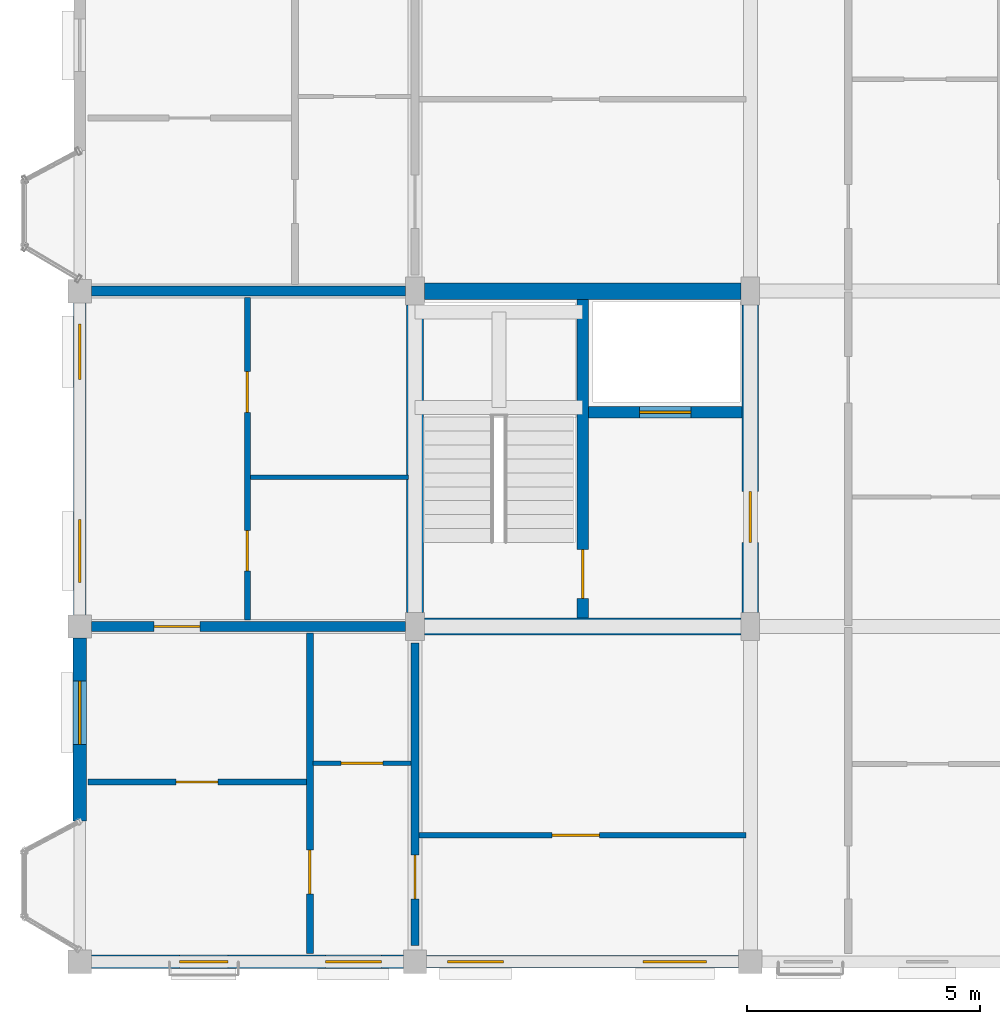
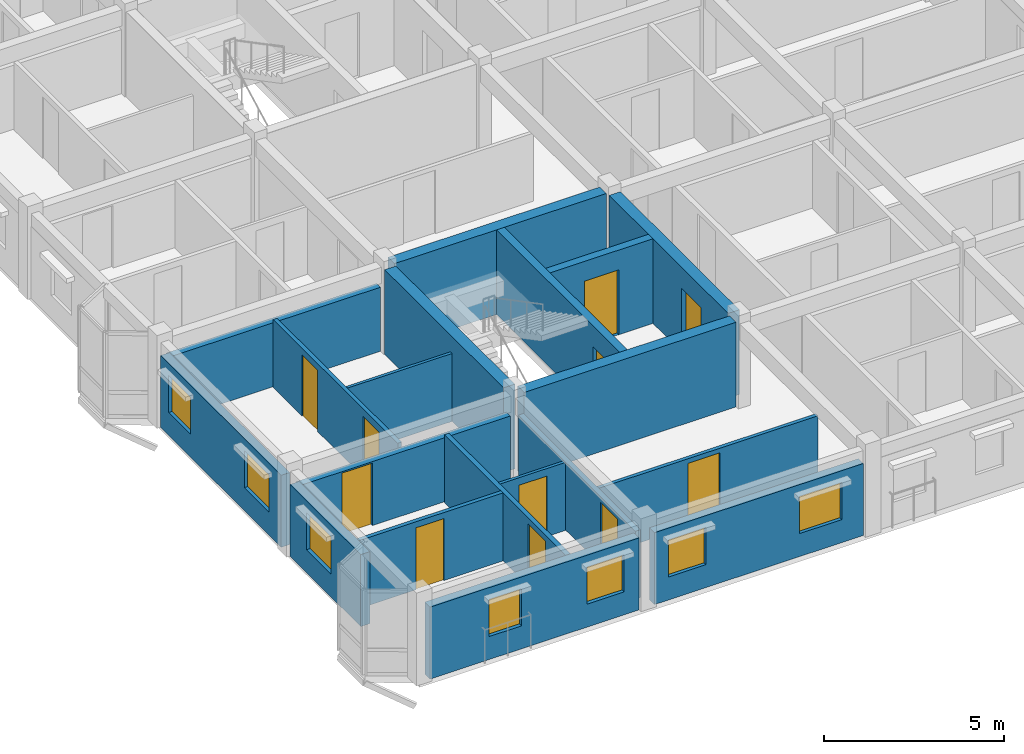
# One storey, part 16 of 38: 19 walls, 11 doors, 7 windows, 18 openings.
"""IFC4 building model written with IfcOpenShell, lengths in metres."""

from ifc_helpers import new_model, si_unit, direction, frame, frame_2d, origin, place, context, subcontext, project, spatial, rectangle, extrude, material, layer, layer_set, type_object, element, fill, save


model = new_model("IFC4")

# Units and contexts
model_context = context("Model", 3, precision=1e-05, world=origin(), true_north=direction((0.0, 1.0)))
body_context = subcontext(model_context, "Body", "Model", "MODEL_VIEW")
ifc_project = project(units=[si_unit("LENGTHUNIT", "METRE"), si_unit("AREAUNIT", "SQUARE_METRE"), si_unit("VOLUMEUNIT", "CUBIC_METRE"), si_unit("PLANEANGLEUNIT", "RADIAN"), si_unit("MASSUNIT", "GRAM", prefix="KILO"), si_unit("THERMODYNAMICTEMPERATUREUNIT", "KELVIN"), si_unit("POWERUNIT", "WATT")], contexts=[model_context])

# Site, building, storey
site_placement = place(None, origin())
site = spatial("IfcSite", under=ifc_project, at=site_placement, CompositionType="ELEMENT")
building_placement = place(site_placement, origin())
building = spatial("IfcBuilding", under=site, at=building_placement, Name="Tavuni Mirador Residences", CompositionType="ELEMENT")
storey_placement = place(building_placement, frame((0.0, 0.0, 32.85009765625)))
storey = spatial("IfcBuildingStorey", under=building, at=storey_placement, Name="L10", CompositionType="ELEMENT", Elevation=32.85009765625)

# Wall, opening, door
ifc_material_1 = material(Name="Precast concrete C40/50", Category="concrete")
ifc_layer_1 = layer(ifc_material_1, 0.25, Name="Precast concrete C40/50", Category="concrete")
ifc_layer_set_1 = layer_set([ifc_layer_1], Name="Precast concrete C40/50")
wall_type_1 = type_object("IfcWallType", Name="WT-COR250", PredefinedType="SHEAR", material=ifc_layer_set_1)
wall_1_placement = place(storey_placement, frame((14.39990234375, 14.580078125, 0.0), z_axis=(0.0, 0.0, 1.0), x_axis=(0.0, 1.0, 0.0)))
wall_1 = element("IfcWall", 1, at=wall_1_placement, inside=storey, type_object=wall_type_1, Name="CWALL-C1-L10-MID", PredefinedType="SHEAR", context=body_context, shape_type="SweptSolid", body=[
    extrude(rectangle(XDim=6.83984375, YDim=0.25, at=frame_2d((3.419921875, 0.0))), origin(), (0.0, 0.0, 1.0), 2.869873046875),
])
opening_1_placement = place(wall_1_placement, frame((0.419921875, 0.0, 0.0)))
opening_1 = element("IfcOpeningElement", 2, at=opening_1_placement, cuts=wall_1, Name="Opening D-01", PredefinedType="OPENING", context=body_context, shape_type="SweptSolid", body=[
    extrude(rectangle(XDim=1.050048828125, YDim=2.14990234375, at=frame_2d((0.52490234375, 1.074951171875))), frame((0.0, 0.135009765625, 0.0), z_axis=(0.0, -1.0, 0.0), x_axis=(1.0, 0.0, 0.0)), (0.0, 0.0, 1.0), 0.27001953125),
])
ifc_material_2 = material(Name="Solid core iroko timber", Category="wood")
door_type_1 = type_object("IfcDoorType", Name="DT-ST1050", OperationType="NOTDEFINED", PredefinedType="DOOR", material=ifc_material_2)
door_1_placement = place(opening_1_placement, origin())
door_1 = element("IfcDoor", 3, at=door_1_placement, inside=storey, type_object=door_type_1, Name="DR-2037", OperationType="SINGLE_SWING_LEFT", OverallHeight=2.14990234375, OverallWidth=1.050048828125, PredefinedType="DOOR", context=body_context, shape_type="SweptSolid", body=[
    extrude(rectangle(XDim=1.050048828125, YDim=2.14990234375, at=frame_2d((0.52490234375, 1.074951171875))), frame((0.0, 0.02490234375, 0.0), z_axis=(0.0, -1.0, 0.0), x_axis=(1.0, 0.0, 0.0)), (0.0, 0.0, 1.0), 0.050048828125),
])
fill(opening_1, door_1)

wall_2_placement = place(storey_placement, frame((14.52490234375, 19.0, 0.0), z_axis=(0.0, 0.0, 1.0), x_axis=(1.0, 0.0, 0.0)))
wall_2 = element("IfcWall", 4, at=wall_2_placement, inside=storey, type_object=wall_type_1, Name="CWALL-C1-L10-SHF", PredefinedType="SHEAR", context=body_context, shape_type="SweptSolid", body=[
    extrude(rectangle(XDim=3.295166015625, YDim=0.25, at=frame_2d((1.6474609375, 0.0))), origin(), (0.0, 0.0, 1.0), 2.869873046875),
])
opening_2_placement = place(wall_2_placement, frame((1.10009765625, 0.0, 0.0)))
opening_2 = element("IfcOpeningElement", 5, at=opening_2_placement, cuts=wall_2, Name="Opening LD-01", PredefinedType="OPENING", context=body_context, shape_type="SweptSolid", body=[
    extrude(rectangle(XDim=1.10009765625, YDim=2.199951171875, at=frame_2d((0.550048828125, 1.10009765625))), frame((0.0, 0.135009765625, 0.0), z_axis=(0.0, -1.0, 0.0), x_axis=(1.0, 0.0, 0.0)), (0.0, 0.0, 1.0), 0.27001953125),
])
ifc_material_3 = material(Name="Structural steel S355", Category="steel")
door_type_2 = type_object("IfcDoorType", Name="DT-LD-FF", OperationType="SLIDING_TO_LEFT", PredefinedType="DOOR", material=ifc_material_3)
door_2_placement = place(opening_2_placement, origin())
door_2 = element("IfcDoor", 6, at=door_2_placement, inside=storey, type_object=door_type_2, Name="Lift landing door FL-A1 L10", OperationType="SLIDING_TO_LEFT", OverallHeight=2.199951171875, OverallWidth=1.10009765625, PredefinedType="DOOR", context=body_context, shape_type="SweptSolid", body=[
    extrude(rectangle(XDim=1.10009765625, YDim=2.199951171875, at=frame_2d((0.550048828125, 1.10009765625))), frame((0.0, 0.02490234375, 0.0), z_axis=(0.0, -1.0, 0.0), x_axis=(1.0, 0.0, 0.0)), (0.0, 0.0, 1.0), 0.050048828125),
])
fill(opening_2, door_2)

# Walls
ifc_layer_2 = layer(ifc_material_1, 0.360107421875, Name="Precast concrete C40/50", Category="concrete")
ifc_layer_set_2 = layer_set([ifc_layer_2], Name="Precast concrete C40/50")
wall_type_2 = type_object("IfcWallType", Name="WT-COR360", PredefinedType="SHEAR", material=ifc_layer_set_2)
wall_3_placement = place(storey_placement, frame((10.800048828125, 14.699951171875, 0.0), z_axis=(0.0, 0.0, 1.0), x_axis=(0.0, 1.0, 0.0)))
element("IfcWall", 7, at=wall_3_placement, inside=storey, type_object=wall_type_2, Name="CWALL-C1-L10-W", PredefinedType="SHEAR", context=body_context, shape_type="SweptSolid", body=[
    extrude(rectangle(XDim=6.60009765625, YDim=0.360107421875, at=frame_2d((3.300048828125, 0.0))), origin(), (0.0, 0.0, 1.0), 2.869873046875),
])
wall_4_placement = place(storey_placement, frame((11.0, 21.60009765625, 0.0), z_axis=(0.0, 0.0, 1.0), x_axis=(1.0, 0.0, 0.0)))
element("IfcWall", 8, at=wall_4_placement, inside=storey, type_object=wall_type_2, Name="CWALL-C1-L10-N", PredefinedType="SHEAR", context=body_context, shape_type="SweptSolid", body=[
    extrude(rectangle(XDim=6.800048828125, YDim=0.360107421875, at=frame_2d((3.39990234375, 0.0))), origin(), (0.0, 0.0, 1.0), 2.869873046875),
])

# Wall, opening, door
wall_5_placement = place(storey_placement, frame((18.0, 14.699951171875, 0.0), z_axis=(0.0, 0.0, 1.0), x_axis=(0.0, 1.0, 0.0)))
wall_5 = element("IfcWall", 9, at=wall_5_placement, inside=storey, type_object=wall_type_2, Name="CWALL-C1-L10-E", PredefinedType="SHEAR", context=body_context, shape_type="SweptSolid", body=[
    extrude(rectangle(XDim=6.60009765625, YDim=0.360107421875, at=frame_2d((3.300048828125, 0.0))), origin(), (0.0, 0.0, 1.0), 2.869873046875),
])
opening_3_placement = place(wall_5_placement, frame((1.5, 0.0, 0.0)))
opening_3 = element("IfcOpeningElement", 10, at=opening_3_placement, cuts=wall_5, Name="Opening D-02", PredefinedType="OPENING", context=body_context, shape_type="SweptSolid", body=[
    extrude(rectangle(XDim=1.10009765625, YDim=2.14990234375, at=frame_2d((0.550048828125, 1.074951171875))), frame((0.0, 0.18994140625, 0.0), z_axis=(0.0, -1.0, 0.0), x_axis=(1.0, 0.0, 0.0)), (0.0, 0.0, 1.0), 0.380126953125),
])
door_type_3 = type_object("IfcDoorType", Name="DT-LOB1100", OperationType="NOTDEFINED", PredefinedType="DOOR", material=ifc_material_2)
door_3_placement = place(opening_3_placement, frame((1.10009765625, 0.0, 0.0), z_axis=(0.0, 0.0, 1.0), x_axis=(-1.0, 0.0, 0.0)))
door_3 = element("IfcDoor", 11, at=door_3_placement, inside=storey, type_object=door_type_3, Name="DR-2036", OperationType="SINGLE_SWING_LEFT", OverallHeight=2.14990234375, OverallWidth=1.10009765625, PredefinedType="DOOR", context=body_context, shape_type="SweptSolid", body=[
    extrude(rectangle(XDim=1.10009765625, YDim=2.14990234375, at=frame_2d((0.550048828125, 1.074951171875))), frame((0.0, 0.02490234375, 0.0), z_axis=(0.0, -1.0, 0.0), x_axis=(1.0, 0.0, 0.0)), (0.0, 0.0, 1.0), 0.050048828125),
])
fill(opening_3, door_3)

# Wall
wall_6_placement = place(storey_placement, frame((11.0, 14.39990234375, 0.0), z_axis=(0.0, 0.0, 1.0), x_axis=(1.0, 0.0, 0.0)))
element("IfcWall", 12, at=wall_6_placement, inside=storey, type_object=wall_type_2, Name="CWALL-C1-L10-SS", PredefinedType="SHEAR", context=body_context, shape_type="SweptSolid", body=[
    extrude(rectangle(XDim=6.800048828125, YDim=0.360107421875, at=frame_2d((3.39990234375, 0.0))), origin(), (0.0, 0.0, 1.0), 2.869873046875),
])

# Wall, opening, door
ifc_layer_3 = layer(ifc_material_1, 0.1650390625, Name="Precast concrete C40/50", Category="concrete")
ifc_layer_set_3 = layer_set([ifc_layer_3], Name="Precast concrete C40/50")
wall_type_3 = type_object("IfcWallType", Name="WT-CORR165", PredefinedType="PARTITIONING", material=ifc_layer_set_3)
wall_7_placement = place(storey_placement, frame((10.800048828125, 7.550048828125, 0.0), z_axis=(0.0, 0.0, 1.0), x_axis=(0.0, 1.0, 0.0)))
wall_7 = element("IfcWall", 13, at=wall_7_placement, inside=storey, type_object=wall_type_3, Name="CORW-BLK-A-L10-1-00", PredefinedType="PARTITIONING", context=body_context, shape_type="SweptSolid", body=[
    extrude(rectangle(XDim=6.5, YDim=0.1650390625, at=frame_2d((3.25, 0.0))), origin(), (0.0, 0.0, 1.0), 2.304931640625),
])
opening_4_placement = place(wall_7_placement, frame((1.0, 0.0, 0.0)))
opening_4 = element("IfcOpeningElement", 14, at=opening_4_placement, cuts=wall_7, Name="Opening D-19", PredefinedType="OPENING", context=body_context, shape_type="SweptSolid", body=[
    extrude(rectangle(XDim=0.93994140625, YDim=2.1201171875, at=frame_2d((0.469970703125, 1.06005859375))), frame((0.0, 0.092529296875, 0.0), z_axis=(0.0, -1.0, 0.0), x_axis=(1.0, 0.0, 0.0)), (0.0, 0.0, 1.0), 0.18505859375),
])
door_type_4 = type_object("IfcDoorType", Name="DT-FD60-940", OperationType="NOTDEFINED", PredefinedType="DOOR", material=ifc_material_2)
door_4_placement = place(opening_4_placement, origin())
door_4 = element("IfcDoor", 15, at=door_4_placement, inside=storey, type_object=door_type_4, Name="DR-2482", OperationType="SINGLE_SWING_LEFT", OverallHeight=2.1201171875, OverallWidth=0.93994140625, PredefinedType="DOOR", context=body_context, shape_type="SweptSolid", body=[
    extrude(rectangle(XDim=0.93994140625, YDim=2.1201171875, at=frame_2d((0.469970703125, 1.06005859375))), frame((0.0, 0.02490234375, 0.0), z_axis=(0.0, -1.0, 0.0), x_axis=(1.0, 0.0, 0.0)), (0.0, 0.0, 1.0), 0.050048828125),
])
fill(opening_4, door_4)

# Wall, openings, windows
ifc_material_4 = material(Name="Sgraffito lime-rendered precast concrete C40/50", Category="concrete")
ifc_layer_4 = layer(ifc_material_4, 0.27490234375, Name="Sgraffito lime-rendered precast concrete C40/50", Category="concrete")
ifc_layer_set_4 = layer_set([ifc_layer_4], Name="Sgraffito lime-rendered precast concrete C40/50")
wall_type_4 = type_object("IfcWallType", Name="WT-EXT-PC275", PredefinedType="SOLIDWALL", material=ifc_layer_set_4)
wall_8_placement = place(storey_placement, frame((11.050048828125, 7.199951171875, 0.0), z_axis=(0.0, 0.0, 1.0), x_axis=(1.0, 0.0, 0.0)))
wall_8 = element("IfcWall", 16, at=wall_8_placement, inside=storey, type_object=wall_type_4, Name="EW-BLK-A-L10-S01", PredefinedType="SOLIDWALL", context=body_context, shape_type="SweptSolid", body=[
    extrude(rectangle(XDim=6.699951171875, YDim=0.27490234375, at=frame_2d((3.35009765625, 0.0))), origin(), (0.0, 0.0, 1.0), 2.43994140625),
])
opening_5_placement = place(wall_8_placement, frame((0.449951171875, 0.0, 0.780029296875)))
opening_5 = element("IfcOpeningElement", 17, at=opening_5_placement, cuts=wall_8, Name="Opening WN-13", PredefinedType="OPENING", context=body_context, shape_type="SweptSolid", body=[
    extrude(rectangle(XDim=1.199951171875, YDim=1.260009765625, at=frame_2d((0.60009765625, 0.6298828125))), frame((0.0, 0.1474609375, 0.0), z_axis=(0.0, -1.0, 0.0), x_axis=(1.0, 0.0, 0.0)), (0.0, 0.0, 1.0), 0.294921875),
])
opening_6_placement = place(wall_8_placement, frame((4.64990234375, 0.0, 0.780029296875)))
opening_6 = element("IfcOpeningElement", 18, at=opening_6_placement, cuts=wall_8, Name="Opening WN-15", PredefinedType="OPENING", context=body_context, shape_type="SweptSolid", body=[
    extrude(rectangle(XDim=1.360107421875, YDim=1.260009765625, at=frame_2d((0.68017578125, 0.6298828125))), frame((0.0, 0.1474609375, 0.0), z_axis=(0.0, -1.0, 0.0), x_axis=(1.0, 0.0, 0.0)), (0.0, 0.0, 1.0), 0.294921875),
])
ifc_material_5 = material(Name="Laminated solar-control glass", Category="glass")
window_type_1 = type_object("IfcWindowType", Name="WNT-13", PartitioningType="SINGLE_PANEL", PredefinedType="WINDOW", material=ifc_material_5)
window_1_placement = place(opening_5_placement, origin())
window_1 = element("IfcWindow", 19, at=window_1_placement, inside=storey, type_object=window_type_1, Name="WIN-0362", OverallHeight=1.260009765625, OverallWidth=1.199951171875, PartitioningType="SINGLE_PANEL", PredefinedType="WINDOW", context=body_context, shape_type="SweptSolid", body=[
    extrude(rectangle(XDim=1.199951171875, YDim=1.260009765625, at=frame_2d((0.60009765625, 0.6298828125))), frame((0.0, 0.030029296875, 0.0), z_axis=(0.0, -1.0, 0.0), x_axis=(1.0, 0.0, 0.0)), (0.0, 0.0, 1.0), 0.06005859375),
])
fill(opening_5, window_1)
window_type_2 = type_object("IfcWindowType", Name="WNT-15", PartitioningType="SINGLE_PANEL", PredefinedType="WINDOW", material=ifc_material_5)
window_2_placement = place(opening_6_placement, origin())
window_2 = element("IfcWindow", 20, at=window_2_placement, inside=storey, type_object=window_type_2, Name="WIN-0363", OverallHeight=1.260009765625, OverallWidth=1.360107421875, PartitioningType="SINGLE_PANEL", PredefinedType="WINDOW", context=body_context, shape_type="SweptSolid", body=[
    extrude(rectangle(XDim=1.360107421875, YDim=1.260009765625, at=frame_2d((0.68017578125, 0.6298828125))), frame((0.0, 0.030029296875, 0.0), z_axis=(0.0, -1.0, 0.0), x_axis=(1.0, 0.0, 0.0)), (0.0, 0.0, 1.0), 0.06005859375),
])
fill(opening_6, window_2)

wall_9_placement = place(storey_placement, frame((3.60009765625, 21.35009765625, 0.0), z_axis=(0.0, 0.0, 1.0), x_axis=(0.0, -1.0, 0.0)))
wall_9 = element("IfcWall", 21, at=wall_9_placement, inside=storey, type_object=wall_type_4, Name="EW-BLK-A-L10-W01", PredefinedType="SOLIDWALL", context=body_context, shape_type="SweptSolid", body=[
    extrude(rectangle(XDim=6.7001953125, YDim=0.27490234375, at=frame_2d((3.35009765625, 0.0))), origin(), (0.0, 0.0, 1.0), 2.43994140625),
])
opening_7_placement = place(wall_9_placement, frame((0.449951171875, 0.0, 0.780029296875)))
opening_7 = element("IfcOpeningElement", 22, at=opening_7_placement, cuts=wall_9, Name="Opening WN-13", PredefinedType="OPENING", context=body_context, shape_type="SweptSolid", body=[
    extrude(rectangle(XDim=1.199951171875, YDim=1.260009765625, at=frame_2d((0.60009765625, 0.6298828125))), frame((0.0, 0.1474609375, 0.0), z_axis=(0.0, -1.0, 0.0), x_axis=(1.0, 0.0, 0.0)), (0.0, 0.0, 1.0), 0.294921875),
])
opening_8_placement = place(wall_9_placement, frame((4.64990234375, 0.0, 0.780029296875)))
opening_8 = element("IfcOpeningElement", 23, at=opening_8_placement, cuts=wall_9, Name="Opening WN-15", PredefinedType="OPENING", context=body_context, shape_type="SweptSolid", body=[
    extrude(rectangle(XDim=1.360107421875, YDim=1.260009765625, at=frame_2d((0.68017578125, 0.6298828125))), frame((0.0, 0.1474609375, 0.0), z_axis=(0.0, -1.0, 0.0), x_axis=(1.0, 0.0, 0.0)), (0.0, 0.0, 1.0), 0.294921875),
])
window_3_placement = place(opening_7_placement, origin())
window_3 = element("IfcWindow", 24, at=window_3_placement, inside=storey, type_object=window_type_1, Name="WIN-0392", OverallHeight=1.260009765625, OverallWidth=1.199951171875, PartitioningType="SINGLE_PANEL", PredefinedType="WINDOW", context=body_context, shape_type="SweptSolid", body=[
    extrude(rectangle(XDim=1.199951171875, YDim=1.260009765625, at=frame_2d((0.60009765625, 0.6298828125))), frame((0.0, 0.030029296875, 0.0), z_axis=(0.0, -1.0, 0.0), x_axis=(1.0, 0.0, 0.0)), (0.0, 0.0, 1.0), 0.06005859375),
])
fill(opening_7, window_3)
window_4_placement = place(opening_8_placement, origin())
window_4 = element("IfcWindow", 25, at=window_4_placement, inside=storey, type_object=window_type_2, Name="WIN-0393", OverallHeight=1.260009765625, OverallWidth=1.360107421875, PartitioningType="SINGLE_PANEL", PredefinedType="WINDOW", context=body_context, shape_type="SweptSolid", body=[
    extrude(rectangle(XDim=1.360107421875, YDim=1.260009765625, at=frame_2d((0.68017578125, 0.6298828125))), frame((0.0, 0.030029296875, 0.0), z_axis=(0.0, -1.0, 0.0), x_axis=(1.0, 0.0, 0.0)), (0.0, 0.0, 1.0), 0.06005859375),
])
fill(opening_8, window_4)

ifc_layer_5 = layer(ifc_material_4, 0.2900390625, Name="Sgraffito lime-rendered precast concrete C40/50", Category="concrete")
ifc_layer_set_5 = layer_set([ifc_layer_5], Name="Sgraffito lime-rendered precast concrete C40/50")
wall_type_5 = type_object("IfcWallType", Name="WT-EXT-PC290", PredefinedType="SOLIDWALL", material=ifc_layer_set_5)
wall_10_placement = place(storey_placement, frame((3.85009765625, 7.199951171875, 0.0), z_axis=(0.0, 0.0, 1.0), x_axis=(1.0, 0.0, 0.0)))
wall_10 = element("IfcWall", 26, at=wall_10_placement, inside=storey, type_object=wall_type_5, Name="EW-BLK-A-L10-S00", PredefinedType="SOLIDWALL", context=body_context, shape_type="SweptSolid", body=[
    extrude(rectangle(XDim=6.699951171875, YDim=0.2900390625, at=frame_2d((3.35009765625, 0.0))), origin(), (0.0, 0.0, 1.0), 2.43994140625),
])
opening_9_placement = place(wall_10_placement, frame((1.89501953125, 0.0, 0.780029296875)))
opening_9 = element("IfcOpeningElement", 27, at=opening_9_placement, cuts=wall_10, Name="Opening WN-11", PredefinedType="OPENING", context=body_context, shape_type="SweptSolid", body=[
    extrude(rectangle(XDim=1.0400390625, YDim=1.260009765625, at=frame_2d((0.52001953125, 0.6298828125))), frame((0.0, 0.155029296875, 0.0), z_axis=(0.0, -1.0, 0.0), x_axis=(1.0, 0.0, 0.0)), (0.0, 0.0, 1.0), 0.31005859375),
])
opening_10_placement = place(wall_10_placement, frame((5.02490234375, 0.0, 0.780029296875)))
opening_10 = element("IfcOpeningElement", 28, at=opening_10_placement, cuts=wall_10, Name="Opening WN-13", PredefinedType="OPENING", context=body_context, shape_type="SweptSolid", body=[
    extrude(rectangle(XDim=1.199951171875, YDim=1.260009765625, at=frame_2d((0.60009765625, 0.6298828125))), frame((0.0, 0.155029296875, 0.0), z_axis=(0.0, -1.0, 0.0), x_axis=(1.0, 0.0, 0.0)), (0.0, 0.0, 1.0), 0.31005859375),
])
window_type_3 = type_object("IfcWindowType", Name="WNT-11", PartitioningType="SINGLE_PANEL", PredefinedType="WINDOW", material=ifc_material_5)
window_5_placement = place(opening_9_placement, origin())
window_5 = element("IfcWindow", 29, at=window_5_placement, inside=storey, type_object=window_type_3, Name="WIN-0360", OverallHeight=1.260009765625, OverallWidth=1.0400390625, PartitioningType="SINGLE_PANEL", PredefinedType="WINDOW", context=body_context, shape_type="SweptSolid", body=[
    extrude(rectangle(XDim=1.0400390625, YDim=1.260009765625, at=frame_2d((0.52001953125, 0.6298828125))), frame((0.0, 0.030029296875, 0.0), z_axis=(0.0, -1.0, 0.0), x_axis=(1.0, 0.0, 0.0)), (0.0, 0.0, 1.0), 0.06005859375),
])
fill(opening_9, window_5)
window_6_placement = place(opening_10_placement, origin())
window_6 = element("IfcWindow", 30, at=window_6_placement, inside=storey, type_object=window_type_1, Name="WIN-0361", OverallHeight=1.260009765625, OverallWidth=1.199951171875, PartitioningType="SINGLE_PANEL", PredefinedType="WINDOW", context=body_context, shape_type="SweptSolid", body=[
    extrude(rectangle(XDim=1.199951171875, YDim=1.260009765625, at=frame_2d((0.60009765625, 0.6298828125))), frame((0.0, 0.030029296875, 0.0), z_axis=(0.0, -1.0, 0.0), x_axis=(1.0, 0.0, 0.0)), (0.0, 0.0, 1.0), 0.06005859375),
])
fill(opening_10, window_6)

# Wall, opening, window
wall_11_placement = place(storey_placement, frame((3.60009765625, 14.14990234375, 0.0), z_axis=(0.0, 0.0, 1.0), x_axis=(0.0, -1.0, 0.0)))
wall_11 = element("IfcWall", 31, at=wall_11_placement, inside=storey, type_object=wall_type_5, Name="EW-BLK-A-L10-W00", PredefinedType="SOLIDWALL", context=body_context, shape_type="SweptSolid", body=[
    extrude(rectangle(XDim=3.929931640625, YDim=0.2900390625, at=frame_2d((1.96484375, 0.0))), origin(), (0.0, 0.0, 1.0), 2.43994140625),
])
opening_11_placement = place(wall_11_placement, frame((0.919921875, 0.0, 0.780029296875)))
opening_11 = element("IfcOpeningElement", 32, at=opening_11_placement, cuts=wall_11, Name="Opening WN-15", PredefinedType="OPENING", context=body_context, shape_type="SweptSolid", body=[
    extrude(rectangle(XDim=1.360107421875, YDim=1.260009765625, at=frame_2d((0.68017578125, 0.6298828125))), frame((0.0, 0.155029296875, 0.0), z_axis=(0.0, -1.0, 0.0), x_axis=(1.0, 0.0, 0.0)), (0.0, 0.0, 1.0), 0.31005859375),
])
window_7_placement = place(opening_11_placement, origin())
window_7 = element("IfcWindow", 33, at=window_7_placement, inside=storey, type_object=window_type_2, Name="WIN-0394", OverallHeight=1.260009765625, OverallWidth=1.360107421875, PartitioningType="SINGLE_PANEL", PredefinedType="WINDOW", context=body_context, shape_type="SweptSolid", body=[
    extrude(rectangle(XDim=1.360107421875, YDim=1.260009765625, at=frame_2d((0.68017578125, 0.6298828125))), frame((0.0, 0.030029296875, 0.0), z_axis=(0.0, -1.0, 0.0), x_axis=(1.0, 0.0, 0.0)), (0.0, 0.0, 1.0), 0.06005859375),
])
fill(opening_11, window_7)

# Wall, opening, door
ifc_material_6 = material(Name="Acoustic gypsum and concrete block partition", Category="concrete")
ifc_layer_6 = layer(ifc_material_6, 0.094970703125, Name="Acoustic gypsum and concrete block partition", Category="concrete")
ifc_layer_set_6 = layer_set([ifc_layer_6], Name="Acoustic gypsum and concrete block partition")
wall_type_6 = type_object("IfcWallType", Name="WT-PART095", PredefinedType="PARTITIONING", material=ifc_layer_set_6)
wall_12_placement = place(storey_placement, frame((8.610107421875, 11.4599609375, 0.0), z_axis=(0.0, 0.0, 1.0), x_axis=(1.0, 0.0, 0.0)))
wall_12 = element("IfcWall", 34, at=wall_12_placement, inside=storey, type_object=wall_type_6, Name="PW-BLK-A-L10-W00-IN1", PredefinedType="PARTITIONING", context=body_context, shape_type="SweptSolid", body=[
    extrude(rectangle(XDim=2.099853515625, YDim=0.094970703125, at=frame_2d((1.0498046875, 0.0))), origin(), (0.0, 0.0, 1.0), 2.304931640625),
])
opening_12_placement = place(wall_12_placement, frame((0.60009765625, 0.0, 0.0)))
opening_12 = element("IfcOpeningElement", 35, at=opening_12_placement, cuts=wall_12, Name="Opening D-09", PredefinedType="OPENING", context=body_context, shape_type="SweptSolid", body=[
    extrude(rectangle(XDim=0.89990234375, YDim=2.050048828125, at=frame_2d((0.449951171875, 1.02490234375))), frame((0.0, 0.0576171875, 0.0), z_axis=(0.0, -1.0, 0.0), x_axis=(1.0, 0.0, 0.0)), (0.0, 0.0, 1.0), 0.114990234375),
])
door_type_5 = type_object("IfcDoorType", Name="DT-WC900", OperationType="NOTDEFINED", PredefinedType="DOOR", material=ifc_material_2)
door_5_placement = place(opening_12_placement, origin())
door_5 = element("IfcDoor", 36, at=door_5_placement, inside=storey, type_object=door_type_5, Name="DR-3258", OperationType="SINGLE_SWING_RIGHT", OverallHeight=2.050048828125, OverallWidth=0.89990234375, PredefinedType="DOOR", context=body_context, shape_type="SweptSolid", body=[
    extrude(rectangle(XDim=0.89990234375, YDim=2.050048828125, at=frame_2d((0.449951171875, 1.02490234375))), frame((0.0, 0.02490234375, 0.0), z_axis=(0.0, -1.0, 0.0), x_axis=(1.0, 0.0, 0.0)), (0.0, 0.0, 1.0), 0.050048828125),
])
fill(opening_12, door_5)

# Wall
wall_13_placement = place(storey_placement, frame((7.27001953125, 17.60009765625, 0.0), z_axis=(0.0, 0.0, 1.0), x_axis=(1.0, 0.0, 0.0)))
element("IfcWall", 37, at=wall_13_placement, inside=storey, type_object=wall_type_6, Name="PW-BLK-A-L10-WC01-H", PredefinedType="PARTITIONING", context=body_context, shape_type="SweptSolid", body=[
    extrude(rectangle(XDim=3.389892578125, YDim=0.094970703125, at=frame_2d((1.69482421875, 0.0))), origin(), (0.0, 0.0, 1.0), 2.304931640625),
])

# Wall, opening, door
ifc_layer_7 = layer(ifc_material_6, 0.114990234375, Name="Acoustic gypsum and concrete block partition", Category="concrete")
ifc_layer_set_7 = layer_set([ifc_layer_7], Name="Acoustic gypsum and concrete block partition")
wall_type_7 = type_object("IfcWallType", Name="WT-PART115", PredefinedType="PARTITIONING", material=ifc_layer_set_7)
wall_14_placement = place(storey_placement, frame((10.889892578125, 9.919921875, 0.0), z_axis=(0.0, 0.0, 1.0), x_axis=(1.0, 0.0, 0.0)))
wall_14 = element("IfcWall", 38, at=wall_14_placement, inside=storey, type_object=wall_type_7, Name="PW-SPN-BLK-A-L10-00", PredefinedType="PARTITIONING", context=body_context, shape_type="SweptSolid", body=[
    extrude(rectangle(XDim=7.02001953125, YDim=0.114990234375, at=frame_2d((3.510009765625, 0.0))), origin(), (0.0, 0.0, 1.0), 2.304931640625),
])
opening_13_placement = place(wall_14_placement, frame((2.85009765625, 0.0, 0.0)))
opening_13 = element("IfcOpeningElement", 39, at=opening_13_placement, cuts=wall_14, Name="Opening D-13", PredefinedType="OPENING", context=body_context, shape_type="SweptSolid", body=[
    extrude(rectangle(XDim=1.02001953125, YDim=2.14990234375, at=frame_2d((0.510009765625, 1.074951171875))), frame((0.0, 0.0673828125, 0.0), z_axis=(0.0, -1.0, 0.0), x_axis=(1.0, 0.0, 0.0)), (0.0, 0.0, 1.0), 0.135009765625),
])
door_type_6 = type_object("IfcDoorType", Name="DT-MTG1020", OperationType="NOTDEFINED", PredefinedType="DOOR", material=ifc_material_2)
door_6_placement = place(opening_13_placement, origin())
door_6 = element("IfcDoor", 40, at=door_6_placement, inside=storey, type_object=door_type_6, Name="DR-3256", OperationType="SINGLE_SWING_LEFT", OverallHeight=2.14990234375, OverallWidth=1.02001953125, PredefinedType="DOOR", context=body_context, shape_type="SweptSolid", body=[
    extrude(rectangle(XDim=1.02001953125, YDim=2.14990234375, at=frame_2d((0.510009765625, 1.074951171875))), frame((0.0, 0.02490234375, 0.0), z_axis=(0.0, -1.0, 0.0), x_axis=(1.0, 0.0, 0.0)), (0.0, 0.0, 1.0), 0.050048828125),
])
fill(opening_13, door_6)

ifc_layer_8 = layer(ifc_material_6, 0.125, Name="Acoustic gypsum and concrete block partition", Category="concrete")
ifc_layer_set_8 = layer_set([ifc_layer_8], Name="Acoustic gypsum and concrete block partition")
wall_type_8 = type_object("IfcWallType", Name="WT-PART125", PredefinedType="PARTITIONING", material=ifc_layer_set_8)
wall_15_placement = place(storey_placement, frame((3.77490234375, 11.06005859375, 0.0), z_axis=(0.0, 0.0, 1.0), x_axis=(1.0, 0.0, 0.0)))
wall_15 = element("IfcWall", 41, at=wall_15_placement, inside=storey, type_object=wall_type_8, Name="PW-BLK-A-L10-W00-OUT", PredefinedType="PARTITIONING", context=body_context, shape_type="SweptSolid", body=[
    extrude(rectangle(XDim=4.695068359375, YDim=0.125, at=frame_2d((2.34765625, 0.0))), origin(), (0.0, 0.0, 1.0), 2.304931640625),
])
opening_14_placement = place(wall_15_placement, frame((1.8974609375, 0.0, 0.0)))
opening_14 = element("IfcOpeningElement", 42, at=opening_14_placement, cuts=wall_15, Name="Opening D-07", PredefinedType="OPENING", context=body_context, shape_type="SweptSolid", body=[
    extrude(rectangle(XDim=0.89990234375, YDim=2.10009765625, at=frame_2d((0.449951171875, 1.050048828125))), frame((0.0, 0.072509765625, 0.0), z_axis=(0.0, -1.0, 0.0), x_axis=(1.0, 0.0, 0.0)), (0.0, 0.0, 1.0), 0.14501953125),
])
door_type_7 = type_object("IfcDoorType", Name="DT-BED900", OperationType="NOTDEFINED", PredefinedType="DOOR", material=ifc_material_2)
door_7_placement = place(opening_14_placement, origin())
door_7 = element("IfcDoor", 43, at=door_7_placement, inside=storey, type_object=door_type_7, Name="DR-3257", OperationType="SINGLE_SWING_LEFT", OverallHeight=2.10009765625, OverallWidth=0.89990234375, PredefinedType="DOOR", context=body_context, shape_type="SweptSolid", body=[
    extrude(rectangle(XDim=0.89990234375, YDim=2.10009765625, at=frame_2d((0.449951171875, 1.050048828125))), frame((0.0, 0.02490234375, 0.0), z_axis=(0.0, -1.0, 0.0), x_axis=(1.0, 0.0, 0.0)), (0.0, 0.0, 1.0), 0.050048828125),
])
fill(opening_14, door_7)

# Wall, openings, doors
wall_16_placement = place(storey_placement, frame((7.199951171875, 14.5400390625, 0.0), z_axis=(0.0, 0.0, 1.0), x_axis=(0.0, 1.0, 0.0)))
wall_16 = element("IfcWall", 44, at=wall_16_placement, inside=storey, type_object=wall_type_8, Name="PW-BLK-A-L10-WC01-M", PredefinedType="PARTITIONING", context=body_context, shape_type="SweptSolid", body=[
    extrude(rectangle(XDim=6.919921875, YDim=0.125, at=frame_2d((3.4599609375, 0.0))), origin(), (0.0, 0.0, 1.0), 2.304931640625),
])
opening_15_placement = place(wall_16_placement, frame((1.050048828125, 0.0, 0.0)))
opening_15 = element("IfcOpeningElement", 45, at=opening_15_placement, cuts=wall_16, Name="Opening D-10", PredefinedType="OPENING", context=body_context, shape_type="SweptSolid", body=[
    extrude(rectangle(XDim=0.8701171875, YDim=2.050048828125, at=frame_2d((0.43505859375, 1.02490234375))), frame((0.0, 0.072509765625, 0.0), z_axis=(0.0, -1.0, 0.0), x_axis=(1.0, 0.0, 0.0)), (0.0, 0.0, 1.0), 0.14501953125),
])
opening_16_placement = place(wall_16_placement, frame((4.449951171875, 0.0, 0.0)))
opening_16 = element("IfcOpeningElement", 46, at=opening_16_placement, cuts=wall_16, Name="Opening D-08", PredefinedType="OPENING", context=body_context, shape_type="SweptSolid", body=[
    extrude(rectangle(XDim=0.8798828125, YDim=2.080078125, at=frame_2d((0.43994140625, 1.0400390625))), frame((0.0, 0.072509765625, 0.0), z_axis=(0.0, -1.0, 0.0), x_axis=(1.0, 0.0, 0.0)), (0.0, 0.0, 1.0), 0.14501953125),
])
door_type_8 = type_object("IfcDoorType", Name="DT-BED880", OperationType="NOTDEFINED", PredefinedType="DOOR", material=ifc_material_2)
door_8_placement = place(opening_16_placement, origin())
door_8 = element("IfcDoor", 47, at=door_8_placement, inside=storey, type_object=door_type_8, Name="DR-3264", OperationType="SINGLE_SWING_LEFT", OverallHeight=2.080078125, OverallWidth=0.8798828125, PredefinedType="DOOR", context=body_context, shape_type="SweptSolid", body=[
    extrude(rectangle(XDim=0.8798828125, YDim=2.080078125, at=frame_2d((0.43994140625, 1.0400390625))), frame((0.0, 0.02490234375, 0.0), z_axis=(0.0, -1.0, 0.0), x_axis=(1.0, 0.0, 0.0)), (0.0, 0.0, 1.0), 0.050048828125),
])
fill(opening_16, door_8)
door_type_9 = type_object("IfcDoorType", Name="DT-WC870", OperationType="NOTDEFINED", PredefinedType="DOOR", material=ifc_material_2)
door_9_placement = place(opening_15_placement, origin())
door_9 = element("IfcDoor", 48, at=door_9_placement, inside=storey, type_object=door_type_9, Name="DR-3263", OperationType="SINGLE_SWING_RIGHT", OverallHeight=2.050048828125, OverallWidth=0.8701171875, PredefinedType="DOOR", context=body_context, shape_type="SweptSolid", body=[
    extrude(rectangle(XDim=0.8701171875, YDim=2.050048828125, at=frame_2d((0.43505859375, 1.02490234375))), frame((0.0, 0.02490234375, 0.0), z_axis=(0.0, -1.0, 0.0), x_axis=(1.0, 0.0, 0.0)), (0.0, 0.0, 1.0), 0.050048828125),
])
fill(opening_15, door_9)

# Wall, opening, door
ifc_layer_9 = layer(ifc_material_6, 0.14990234375, Name="Acoustic gypsum and concrete block partition", Category="concrete")
ifc_layer_set_9 = layer_set([ifc_layer_9], Name="Acoustic gypsum and concrete block partition")
wall_type_9 = type_object("IfcWallType", Name="WT-PART150", PredefinedType="PARTITIONING", material=ifc_layer_set_9)
wall_17_placement = place(storey_placement, frame((8.5400390625, 7.375, 0.0), z_axis=(0.0, 0.0, 1.0), x_axis=(0.0, 1.0, 0.0)))
wall_17 = element("IfcWall", 49, at=wall_17_placement, inside=storey, type_object=wall_type_9, Name="PW-BLK-A-L10-W00-MID", PredefinedType="PARTITIONING", context=body_context, shape_type="SweptSolid", body=[
    extrude(rectangle(XDim=6.885009765625, YDim=0.14990234375, at=frame_2d((3.4423828125, 0.0))), origin(), (0.0, 0.0, 1.0), 2.304931640625),
])
opening_17_placement = place(wall_17_placement, frame((1.27490234375, 0.0, 0.0)))
opening_17 = element("IfcOpeningElement", 50, at=opening_17_placement, cuts=wall_17, Name="Opening D-05", PredefinedType="OPENING", context=body_context, shape_type="SweptSolid", body=[
    extrude(rectangle(XDim=0.949951171875, YDim=2.10009765625, at=frame_2d((0.47509765625, 1.050048828125))), frame((0.0, 0.0849609375, 0.0), z_axis=(0.0, -1.0, 0.0), x_axis=(1.0, 0.0, 0.0)), (0.0, 0.0, 1.0), 0.169921875),
])
door_type_10 = type_object("IfcDoorType", Name="DT-INT950", OperationType="NOTDEFINED", PredefinedType="DOOR", material=ifc_material_2)
door_10_placement = place(opening_17_placement, origin())
door_10 = element("IfcDoor", 51, at=door_10_placement, inside=storey, type_object=door_type_10, Name="DR-3259", OperationType="SINGLE_SWING_LEFT", OverallHeight=2.10009765625, OverallWidth=0.949951171875, PredefinedType="DOOR", context=body_context, shape_type="SweptSolid", body=[
    extrude(rectangle(XDim=0.949951171875, YDim=2.10009765625, at=frame_2d((0.47509765625, 1.050048828125))), frame((0.0, 0.02490234375, 0.0), z_axis=(0.0, -1.0, 0.0), x_axis=(1.0, 0.0, 0.0)), (0.0, 0.0, 1.0), 0.050048828125),
])
fill(opening_17, door_10)

ifc_layer_10 = layer(ifc_material_1, 0.215087890625, Name="Precast concrete C40/50", Category="concrete")
ifc_layer_set_10 = layer_set([ifc_layer_10], Name="Precast concrete C40/50")
wall_type_10 = type_object("IfcWallType", Name="WT-XW215", PredefinedType="SOLIDWALL", material=ifc_layer_set_10)
wall_18_placement = place(storey_placement, frame((3.85009765625, 14.39990234375, 0.0), z_axis=(0.0, 0.0, 1.0), x_axis=(1.0, 0.0, 0.0)))
wall_18 = element("IfcWall", 52, at=wall_18_placement, inside=storey, type_object=wall_type_10, Name="XW-BLK-A-L10-W-01", PredefinedType="SOLIDWALL", context=body_context, shape_type="SweptSolid", body=[
    extrude(rectangle(XDim=6.75, YDim=0.215087890625, at=frame_2d((3.375, 0.0))), origin(), (0.0, 0.0, 1.0), 2.169921875),
])
opening_18_placement = place(wall_18_placement, frame((1.35009765625, 0.0, 0.0)))
opening_18 = element("IfcOpeningElement", 53, at=opening_18_placement, cuts=wall_18, Name="Opening D-04", PredefinedType="OPENING", context=body_context, shape_type="SweptSolid", body=[
    extrude(rectangle(XDim=0.97998046875, YDim=2.1201171875, at=frame_2d((0.489990234375, 1.06005859375))), frame((0.0, 0.11767578125, 0.0), z_axis=(0.0, -1.0, 0.0), x_axis=(1.0, 0.0, 0.0)), (0.0, 0.0, 1.0), 0.235107421875),
])
door_type_11 = type_object("IfcDoorType", Name="DT-FD60-980", OperationType="NOTDEFINED", PredefinedType="DOOR", material=ifc_material_2)
door_11_placement = place(opening_18_placement, origin())
door_11 = element("IfcDoor", 54, at=door_11_placement, inside=storey, type_object=door_type_11, Name="DR-4694", OperationType="SINGLE_SWING_LEFT", OverallHeight=2.1201171875, OverallWidth=0.97998046875, PredefinedType="DOOR", context=body_context, shape_type="SweptSolid", body=[
    extrude(rectangle(XDim=0.97998046875, YDim=2.1201171875, at=frame_2d((0.489990234375, 1.06005859375))), frame((0.0, 0.02490234375, 0.0), z_axis=(0.0, -1.0, 0.0), x_axis=(1.0, 0.0, 0.0)), (0.0, 0.0, 1.0), 0.050048828125),
])
fill(opening_18, door_11)

# Wall
wall_19_placement = place(storey_placement, frame((3.85009765625, 21.60009765625, 0.0), z_axis=(0.0, 0.0, 1.0), x_axis=(1.0, 0.0, 0.0)))
element("IfcWall", 55, at=wall_19_placement, inside=storey, type_object=wall_type_10, Name="XW-BLK-A-L10-W-02", PredefinedType="SOLIDWALL", context=body_context, shape_type="SweptSolid", body=[
    extrude(rectangle(XDim=6.75, YDim=0.215087890625, at=frame_2d((3.375, 0.0))), origin(), (0.0, 0.0, 1.0), 2.169921875),
])

save(model, "model.ifc")
